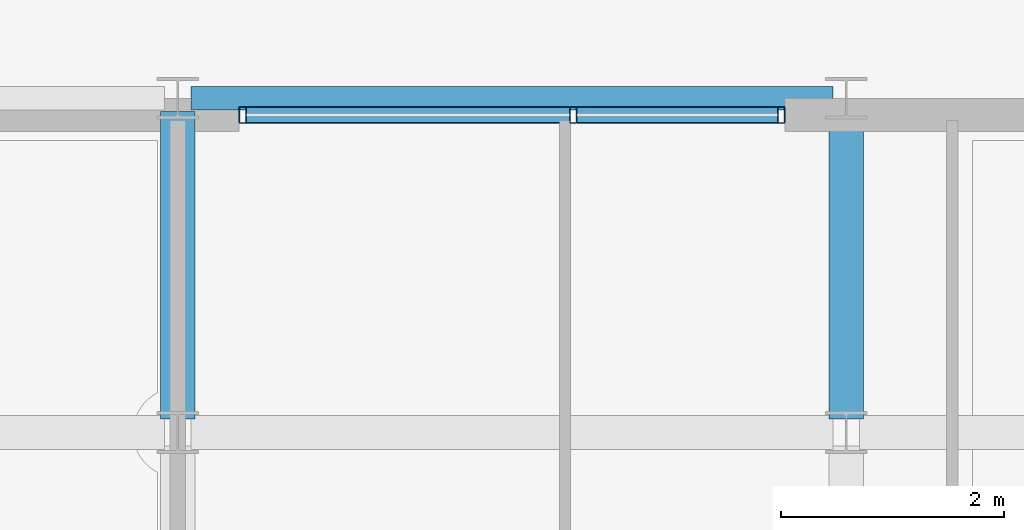
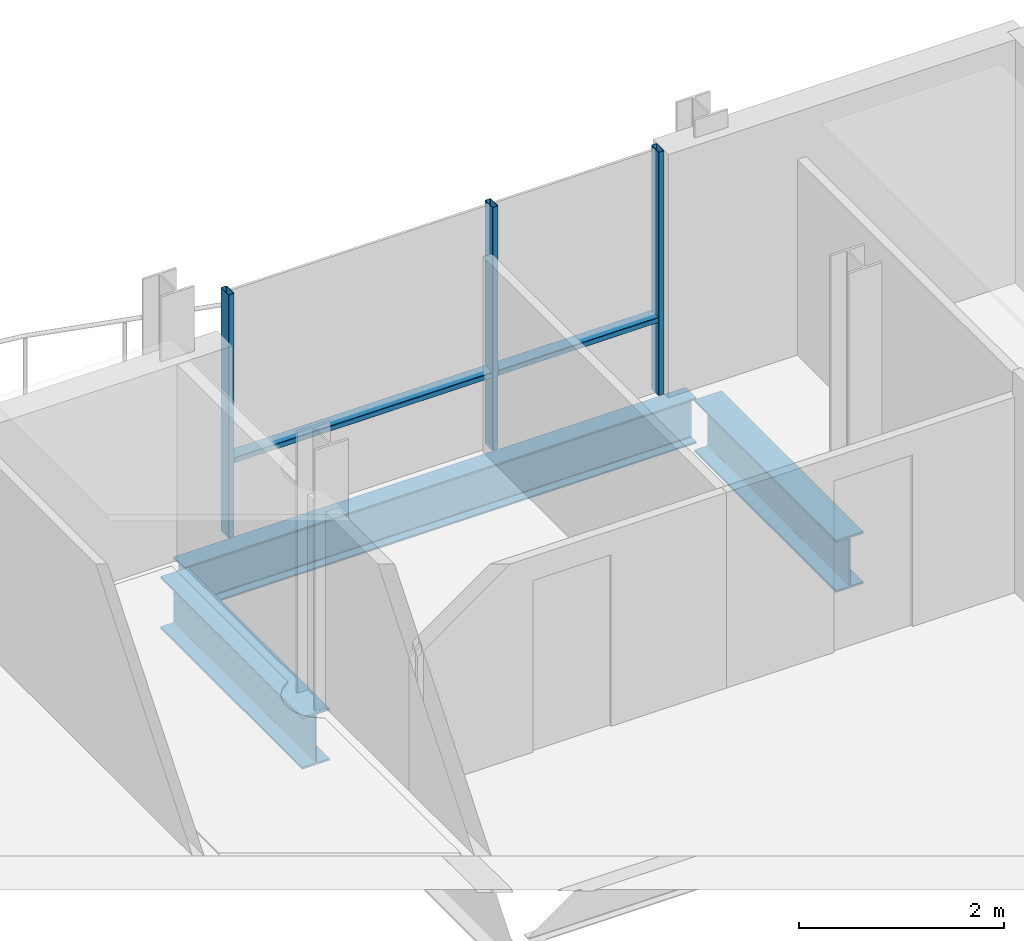
# One storey, part 19 of 35: 5 members, 3 beams, 1 element without a shape of its own.
"""IFC4 building model written with IfcOpenShell, lengths in metres."""

import ifcopenshell
import ifcopenshell.guid

model = None  # the IFC model being written
_history = None  # IfcOwnerHistory: only IFC2X3 demands one
_inside = {}  # id of a spatial element -> (the spatial element, [elements in it])
_under = {}  # id of a project, library or spatial element -> (it, [spatial elements below it])
_declared = {}  # id of a project -> (the project, [libraries it declares])
_typed = {}  # id of a type object -> (the type object, [elements of that type])
_made_of = {}  # id of a material, layer set ... -> (it, [elements and type objects made of it])


def new_model(schema):
    """Start an empty IFC model of exactly this schema.

    Asked for "IFC4X3", IfcOpenShell would pick the latest addendum, in which some entities
    have other attributes; the version numbers below select the first issue.
    IFC2X3 requires an IfcOwnerHistory on every rooted entity: one is made here for all.
    """
    global model, _history
    if schema == "IFC4X3":
        model = ifcopenshell.file(schema_version=(4, 3, 0, 0))
    else:
        model = ifcopenshell.file(schema=schema)
    _inside.clear()
    _under.clear()
    _declared.clear()
    _typed.clear()
    _made_of.clear()
    _history = None
    if model.schema == "IFC2X3":
        org = make("IfcOrganization", Name="unknown")
        user = make(
            "IfcPersonAndOrganization",
            ThePerson=make("IfcPerson", FamilyName="unknown"),
            TheOrganization=org,
        )
        app = make(
            "IfcApplication",
            ApplicationDeveloper=org,
            Version="unknown",
            ApplicationFullName="unknown",
            ApplicationIdentifier="unknown",
        )
        _history = make(
            "IfcOwnerHistory",
            OwningUser=user,
            OwningApplication=app,
            ChangeAction="ADDED",
            CreationDate=0,
        )
    return model


def make(cls, **values):
    """One entity of the class cls with the attributes given. An attribute that is None is left unset."""
    return model.create_entity(
        cls, **{name: value for name, value in values.items() if value is not None}
    )


def rooted(cls, **values):
    """An entity with a GlobalId (a new one), such as an element, a storey or a relation."""
    return make(cls, GlobalId=ifcopenshell.guid.new(), OwnerHistory=_history, **values)


def si_unit(unit_type, name, prefix=None):
    """IfcSIUnit, for example si_unit("LENGTHUNIT", "METRE", prefix="MILLI")."""
    return make("IfcSIUnit", UnitType=unit_type, Prefix=prefix, Name=name)


def assignment(units):
    """IfcUnitAssignment: the units of a project."""
    return None if units is None else make("IfcUnitAssignment", Units=units)


def point(xyz):
    """IfcCartesianPoint."""
    return None if xyz is None else make("IfcCartesianPoint", Coordinates=xyz)


def direction(xyz):
    """IfcDirection."""
    return None if xyz is None else make("IfcDirection", DirectionRatios=xyz)


def frame(location, z_axis=None, x_axis=None):
    """IfcAxis2Placement3D, a coordinate frame: its origin and axes. An axis left out is left unset."""
    return make(
        "IfcAxis2Placement3D",
        Location=point(location),
        Axis=direction(z_axis),
        RefDirection=direction(x_axis),
    )


def frame_2d(location, x_axis=None):
    """IfcAxis2Placement2D, a coordinate frame in the plane: its origin and x axis."""
    return make(
        "IfcAxis2Placement2D", Location=point(location), RefDirection=direction(x_axis)
    )


def origin():
    """The frame at (0, 0, 0) with its axes left unset."""
    return frame((0.0, 0.0, 0.0))


def origin_2d():
    """The frame at (0, 0) in the plane with its x axis left unset."""
    return frame_2d((0.0, 0.0))


def place(relative_to, where):
    """IfcLocalPlacement: puts the frame where relative to a parent placement (None: the world)."""
    return make(
        "IfcLocalPlacement", PlacementRelTo=relative_to, RelativePlacement=where
    )


def context(
    kind, dimensions, precision=None, world=None, true_north=None, identifier=None
):
    """IfcGeometricRepresentationContext, for example the 3D "Model" context."""
    return make(
        "IfcGeometricRepresentationContext",
        ContextIdentifier=identifier,
        ContextType=kind,
        CoordinateSpaceDimension=dimensions,
        Precision=precision,
        WorldCoordinateSystem=world,
        TrueNorth=true_north,
    )


def subcontext(parent, identifier, kind, view, scale=None):
    """IfcGeometricRepresentationSubContext, for example "Body" below "Model"."""
    return make(
        "IfcGeometricRepresentationSubContext",
        ContextIdentifier=identifier,
        ContextType=kind,
        ParentContext=parent,
        TargetScale=scale,
        TargetView=view,
    )


def project(units=None, contexts=None):
    """IfcProject with its units and contexts."""
    return rooted(
        "IfcProject",
        Name="project",
        RepresentationContexts=contexts,
        UnitsInContext=assignment(units),
    )


def spatial(cls, under=None, at=None, **own):
    """A site, building, storey or space (cls), placed at a placement, below another one or the project."""
    s = rooted(cls, ObjectPlacement=at, **own)
    if under is not None:
        _under.setdefault(under.id(), (under, []))[1].append(s)
    return s


def profile(cls, at=None, kind="AREA", **sizes):
    """A parametric profile (cls). Its sizes go by their IFC names, for example OverallWidth=200.0."""
    return make(cls, ProfileType=kind, Position=at, **sizes)


def hollow_rectangle(**sizes):
    """IfcRectangleHollowProfileDef."""
    return profile("IfcRectangleHollowProfileDef", **sizes)


def i_section(**sizes):
    """IfcIShapeProfileDef."""
    return profile("IfcIShapeProfileDef", **sizes)


def extrude(swept, where, along, depth):
    """IfcExtrudedAreaSolid: the profile swept, set in the frame where, extruded along a direction by depth."""
    return make(
        "IfcExtrudedAreaSolid",
        SweptArea=swept,
        Position=where,
        ExtrudedDirection=direction(along),
        Depth=depth,
    )


def shape(context_of_items, identifier, shape_type, items):
    """IfcShapeRepresentation: the items that make up one representation, for example the "Body"."""
    return make(
        "IfcShapeRepresentation",
        ContextOfItems=context_of_items,
        RepresentationIdentifier=identifier,
        RepresentationType=shape_type,
        Items=items,
    )


def material(Name=None, Category=None):
    """IfcMaterial."""
    return make("IfcMaterial", Name=Name, Category=Category)


def layer(
    of_material, thickness, ventilated=None, Name=None, Category=None, Priority=None
):
    """IfcMaterialLayer: one layer of a wall or slab, of a material (None: an air gap)."""
    return make(
        "IfcMaterialLayer",
        Material=of_material,
        LayerThickness=thickness,
        IsVentilated=ventilated,
        Name=Name,
        Category=Category,
        Priority=Priority,
    )


def layer_set(layers, Name=None):
    """IfcMaterialLayerSet."""
    return make("IfcMaterialLayerSet", MaterialLayers=layers, LayerSetName=Name)


def material_profile(
    of_material, cross_section, Name=None, Category=None, Priority=None
):
    """IfcMaterialProfile: a cross section and its material."""
    return make(
        "IfcMaterialProfile",
        Name=Name,
        Material=of_material,
        Profile=cross_section,
        Priority=Priority,
        Category=Category,
    )


def profile_set(profiles, Name=None, composite=None):
    """IfcMaterialProfileSet."""
    return make(
        "IfcMaterialProfileSet",
        Name=Name,
        MaterialProfiles=profiles,
        CompositeProfile=composite,
    )


def made_of(thing, what):
    """Note that an element or type object is made of a material, layer set ...; save() writes the relation."""
    if what is not None:
        _made_of.setdefault(what.id(), (what, []))[1].append(thing)
    return thing


def type_object(cls, material=None, **own):
    """A type object (cls), such as IfcWallType, which elements share."""
    return made_of(rooted(cls, **own), material)


def element(
    cls,
    number,
    at=None,
    inside=None,
    cuts=None,
    type_object=None,
    material=None,
    context=None,
    identifier="Body",
    shape_type=None,
    held_by="IfcProductDefinitionShape",
    body=None,
    shapes=None,
    **own,
):
    """One element of the class cls, such as IfcWall. Its Tag is "e" and its number.

    at: its placement. inside: the storey or other place that contains it. cuts: it is an
    opening in that element (IfcRelVoidsElement). A single representation is given by context,
    identifier, shape_type and body (its items); several are given by shapes. held_by: the class
    of the entity that holds the representations. save() writes the other relations.
    """
    e = rooted(cls, Tag="e%d" % number, ObjectPlacement=at, **own)
    if body is not None:
        shapes = [shape(context, identifier, shape_type, body)]
    if shapes is not None:
        e.Representation = make(held_by, Representations=shapes)
    if inside is not None:
        _inside.setdefault(inside.id(), (inside, []))[1].append(e)
    if cuts is not None:
        rooted(
            "IfcRelVoidsElement", RelatingBuildingElement=cuts, RelatedOpeningElement=e
        )
    if type_object is not None:
        _typed.setdefault(type_object.id(), (type_object, []))[1].append(e)
    return made_of(e, material)


def aggregate(whole, parts):
    """IfcRelAggregates: a whole, such as a stair, and the parts it consists of."""
    return rooted("IfcRelAggregates", RelatingObject=whole, RelatedObjects=parts)


def save(model, path):
    """Write the relations noted so far, then the file.

    IfcRelAggregates (storeys below a building ...), IfcRelContainedInSpatialStructure (elements
    in a storey), IfcRelDefinesByType, IfcRelAssociatesMaterial and IfcRelDeclares: one each for
    every whole, place, type object, material and project.
    """
    for whole, parts in _under.values():
        aggregate(whole, parts)
    for where, things in _inside.values():
        rooted(
            "IfcRelContainedInSpatialStructure",
            RelatedElements=things,
            RelatingStructure=where,
        )
    for kind, things in _typed.values():
        rooted("IfcRelDefinesByType", RelatedObjects=things, RelatingType=kind)
    for what, things in _made_of.values():
        rooted("IfcRelAssociatesMaterial", RelatedObjects=things, RelatingMaterial=what)
    for by, libraries in _declared.values():
        rooted("IfcRelDeclares", RelatingContext=by, RelatedDefinitions=libraries)
    model.write(path)


model = new_model("IFC4")

# Units and contexts
model_context = context("Model", 3, precision=1e-05, world=origin(), true_north=direction((0.0, 1.0)))
body_context = subcontext(model_context, "Body", "Model", "MODEL_VIEW")
ifc_project = project(units=[si_unit("LENGTHUNIT", "METRE"), si_unit("AREAUNIT", "SQUARE_METRE"), si_unit("VOLUMEUNIT", "CUBIC_METRE"), si_unit("PLANEANGLEUNIT", "RADIAN"), si_unit("MASSUNIT", "GRAM", prefix="KILO")], contexts=[model_context])

# Site, building, storey
site_placement = place(None, origin())
site = spatial("IfcSite", under=ifc_project, at=site_placement, CompositionType="ELEMENT")
building_placement = place(site_placement, origin())
building = spatial("IfcBuilding", under=site, at=building_placement, Name="Brevholm Reach", CompositionType="ELEMENT")
storey_placement = place(building_placement, frame((0.0, 0.0, 218.0)))
storey = spatial("IfcBuildingStorey", under=building, at=storey_placement, Name="L66", CompositionType="ELEMENT", Elevation=218.0)

# Beams
ifc_material_1 = material(Name="Structural Steel S355J2", Category="steel")
ifc_material_profile_1 = material_profile(ifc_material_1, i_section(OverallWidth=0.210693359375, OverallDepth=0.53955078125, WebThickness=0.01171875, FlangeThickness=0.018798828125, FilletRadius=0.0126953125, at=origin_2d()), Name="UKB 533x210x109")
ifc_profile_set_1 = profile_set([ifc_material_profile_1], Name="Structural Steel S355J2")
beam_type_1 = type_object("IfcBeamType", Name="BM-SP539", PredefinedType="SPANDREL", material=ifc_profile_set_1)
beam_placement = place(storey_placement, frame((48.1201171875, 26.5, -0.539794921875), z_axis=(1.0, 0.0, 0.0), x_axis=(0.0, 1.0, 0.0)))
element("IfcBeam", 1, at=beam_placement, inside=storey, type_object=beam_type_1, Name="L66 SP-01B Framing Beam", PredefinedType="SPANDREL", context=body_context, shape_type="SweptSolid", body=[
    extrude(i_section(OverallWidth=0.210693359375, OverallDepth=0.53955078125, WebThickness=0.01171875, FlangeThickness=0.018798828125, FilletRadius=0.0126953125, at=origin_2d()), origin(), (0.0, 0.0, 1.0), 5.759765625),
])
ifc_material_2 = material(Name="Structural Steel S355J2", Category="steel")
ifc_material_profile_2 = material_profile(ifc_material_2, i_section(OverallWidth=0.30712890625, OverallDepth=0.6201171875, WebThickness=0.01416015625, FlangeThickness=0.023681640625, FilletRadius=0.0166015625, at=origin_2d()), Name="UKB 610x305x179")
ifc_profile_set_2 = profile_set([ifc_material_profile_2], Name="Structural Steel S355J2")
beam_type_2 = type_object("IfcBeamType", Name="BM-UKB610H", PredefinedType="USERDEFINED", material=ifc_profile_set_2)
for number, where, z_axis, x_axis, name in (
    (2, (48.0, 23.6201171875, -0.580078125), (0.0, 1.0, 0.0), (-1.0, 0.0, 0.0), "L66 G-06 Framing Beam"),
    (3, (54.0, 23.6201171875, -0.580078125), (0.0, 1.0, 0.0), (-1.0, 0.0, 0.0), "L66 G-06 Framing Beam"),
):
    element("IfcBeam", number, at=place(storey_placement, frame(where, z_axis=z_axis, x_axis=x_axis)), inside=storey, type_object=beam_type_2, Name=name, ObjectType="GIRDER", PredefinedType="USERDEFINED", context=body_context, shape_type="SweptSolid", body=[
        extrude(i_section(OverallWidth=0.30712890625, OverallDepth=0.6201171875, WebThickness=0.01416015625, FlangeThickness=0.023681640625, FilletRadius=0.0166015625, at=origin_2d()), origin(), (0.0, 0.0, 1.0), 2.759765625),
    ])

# Curtain wall, members
ifc_material_3 = material(Name="Dark Anodised Aluminium 6063-T6 and Solar-Control Glass", Category="aluminium")
ifc_layer = layer(ifc_material_3, 0.14990234375)
ifc_layer_set = layer_set([ifc_layer], Name="Dark Anodised Aluminium 6063-T6 and Solar-Control Glass")
curtain_wall_type = type_object("IfcCurtainWallType", Name="CW-01", PredefinedType="NOTDEFINED", material=ifc_layer_set)
curtain_wall_placement = place(storey_placement, origin())
curtain_wall = element("IfcCurtainWall", 4, at=curtain_wall_placement, inside=storey, type_object=curtain_wall_type, Name="L66 Curtain Wall CW-01", PredefinedType="NOTDEFINED")
ifc_material_4 = material(Name="Dark Anodised Aluminium 6063-T6", Category="aluminium")
ifc_material_profile_3 = material_profile(ifc_material_4, hollow_rectangle(XDim=0.06494140625, YDim=0.14990234375, WallThickness=0.0048828125, InnerFilletRadius=0.0048828125, OuterFilletRadius=0.010009765625, at=origin_2d()), Name="RHS 150x65x5")
ifc_profile_set_3 = profile_set([ifc_material_profile_3], Name="Dark Anodised Aluminium 6063-T6")
member_type_1 = type_object("IfcMemberType", Name="CWM-150", PredefinedType="MULLION", material=ifc_profile_set_3)
member_1_placement = place(storey_placement, frame((48.58251953125, 26.35009765625, 0.0), z_axis=(0.0, 0.0, 1.0), x_axis=(1.0, 0.0, 0.0)))
member_1 = element("IfcMember", 5, at=member_1_placement, type_object=member_type_1, Name="CM-150 Mullion 1", PredefinedType="MULLION", context=body_context, shape_type="SweptSolid", body=[
    extrude(hollow_rectangle(XDim=0.06494140625, YDim=0.14990234375, WallThickness=0.0048828125, InnerFilletRadius=0.0048828125, OuterFilletRadius=0.010009765625, at=origin_2d()), origin(), (0.0, 0.0, 1.0), 2.889892578125),
])
member_2_placement = place(storey_placement, frame((51.550048828125, 26.35009765625, 0.0), z_axis=(0.0, 0.0, 1.0), x_axis=(1.0, 0.0, 0.0)))
member_2 = element("IfcMember", 6, at=member_2_placement, type_object=member_type_1, Name="CM-150 Mullion 2", PredefinedType="MULLION", context=body_context, shape_type="SweptSolid", body=[
    extrude(hollow_rectangle(XDim=0.06494140625, YDim=0.14990234375, WallThickness=0.0048828125, InnerFilletRadius=0.0048828125, OuterFilletRadius=0.010009765625, at=origin_2d()), origin(), (0.0, 0.0, 1.0), 2.889892578125),
])
member_3_placement = place(storey_placement, frame((53.41748046875, 26.35009765625, 0.0), z_axis=(0.0, 0.0, 1.0), x_axis=(1.0, 0.0, 0.0)))
member_3 = element("IfcMember", 7, at=member_3_placement, type_object=member_type_1, Name="CM-150 Mullion 3", PredefinedType="MULLION", context=body_context, shape_type="SweptSolid", body=[
    extrude(hollow_rectangle(XDim=0.06494140625, YDim=0.14990234375, WallThickness=0.0048828125, InnerFilletRadius=0.0048828125, OuterFilletRadius=0.010009765625, at=origin_2d()), origin(), (0.0, 0.0, 1.0), 2.889892578125),
])
ifc_material_5 = material(Name="Dark Anodised Aluminium 6063-T6", Category="aluminium")
ifc_material_profile_4 = material_profile(ifc_material_5, hollow_rectangle(XDim=0.06494140625, YDim=0.14990234375, WallThickness=0.0048828125, InnerFilletRadius=0.0048828125, OuterFilletRadius=0.010009765625, at=origin_2d()), Name="RHS 150x65x5")
ifc_profile_set_4 = profile_set([ifc_material_profile_4], Name="Dark Anodised Aluminium 6063-T6")
member_type_2 = type_object("IfcMemberType", Name="CWT-150", PredefinedType="NOTDEFINED", material=ifc_profile_set_4)
member_4_placement = place(storey_placement, frame((48.614990234375, 26.35009765625, 0.89990234375), z_axis=(1.0, 0.0, 0.0), x_axis=(0.0, 0.0, 1.0)))
member_4 = element("IfcMember", 8, at=member_4_placement, type_object=member_type_2, Name="CT-150 Transom 1.1", ObjectType="TRANSOM", PredefinedType="USERDEFINED", context=body_context, shape_type="SweptSolid", body=[
    extrude(hollow_rectangle(XDim=0.06494140625, YDim=0.14990234375, WallThickness=0.0048828125, InnerFilletRadius=0.0048828125, OuterFilletRadius=0.010009765625, at=origin_2d()), origin(), (0.0, 0.0, 1.0), 2.902587890625),
])
member_5_placement = place(storey_placement, frame((51.58251953125, 26.35009765625, 0.89990234375), z_axis=(1.0, 0.0, 0.0), x_axis=(0.0, 0.0, 1.0)))
member_5 = element("IfcMember", 9, at=member_5_placement, type_object=member_type_2, Name="CT-150 Transom 2.1", ObjectType="TRANSOM", PredefinedType="USERDEFINED", context=body_context, shape_type="SweptSolid", body=[
    extrude(hollow_rectangle(XDim=0.06494140625, YDim=0.14990234375, WallThickness=0.0048828125, InnerFilletRadius=0.0048828125, OuterFilletRadius=0.010009765625, at=origin_2d()), origin(), (0.0, 0.0, 1.0), 1.802490234375),
])
aggregate(curtain_wall, [member_1, member_2, member_3, member_4, member_5])

save(model, "model.ifc")
